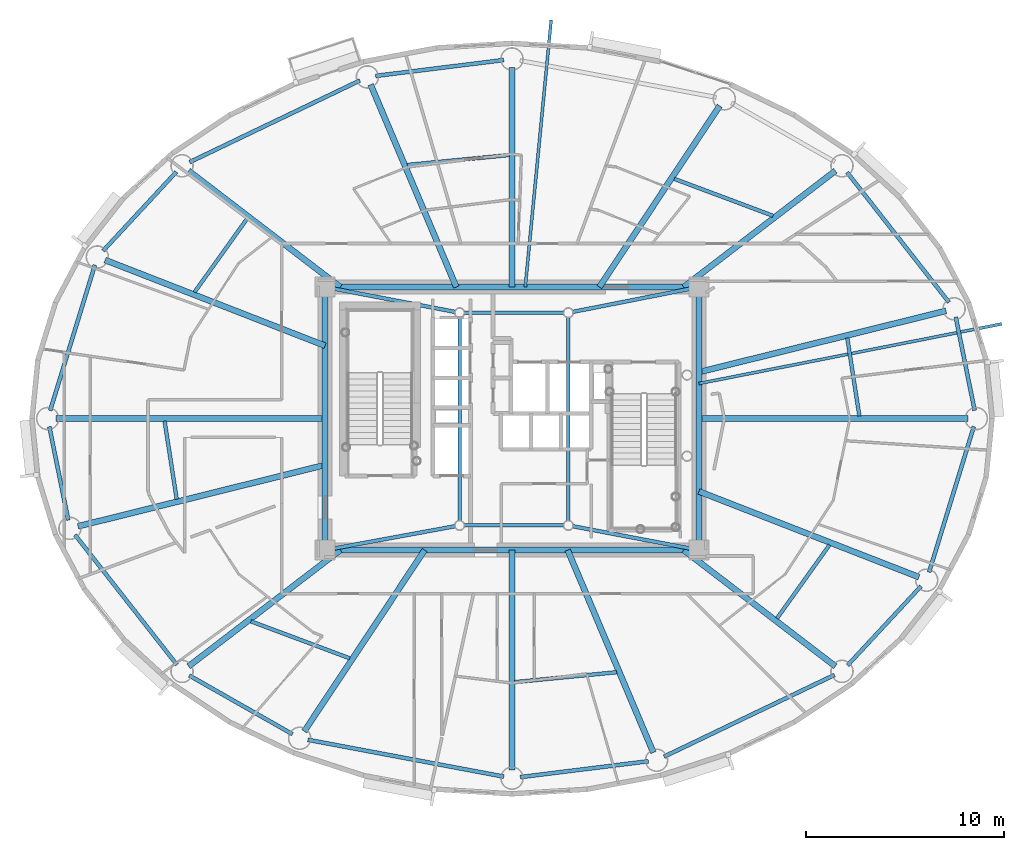
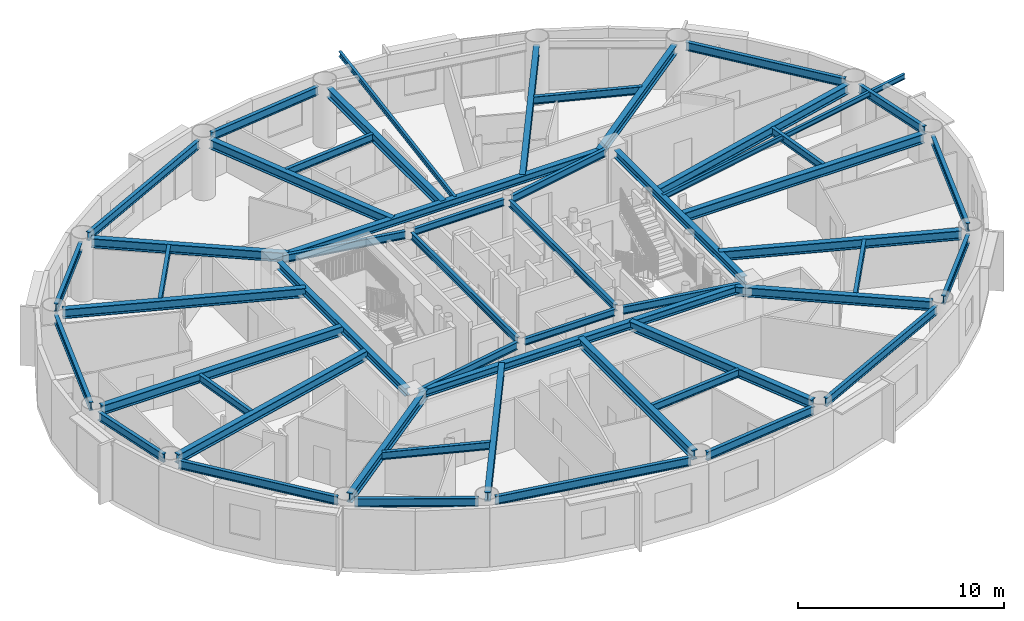
# One storey, part 3 of 19: 52 beams.
"""IFC4 building model written with IfcOpenShell, lengths in metres."""

from ifc_helpers import new_model, si_unit, direction, frame, origin, origin_2d, place, context, subcontext, project, spatial, i_section, extrude, material, material_profile, profile_set, type_object, element, save


model = new_model("IFC4")

# Units and contexts
model_context = context("Model", 3, precision=1e-05, world=origin(), true_north=direction((0.0, 1.0)))
body_context = subcontext(model_context, "Body", "Model", "MODEL_VIEW")
ifc_project = project(units=[si_unit("LENGTHUNIT", "METRE"), si_unit("AREAUNIT", "SQUARE_METRE"), si_unit("VOLUMEUNIT", "CUBIC_METRE"), si_unit("PLANEANGLEUNIT", "RADIAN"), si_unit("MASSUNIT", "GRAM", prefix="KILO")], contexts=[model_context])

# Site, building, storey
site_placement = place(None, origin())
site = spatial("IfcSite", under=ifc_project, at=site_placement, CompositionType="ELEMENT")
building_placement = place(site_placement, origin())
building = spatial("IfcBuilding", under=site, at=building_placement, Name="Linh Dai School and Residence Tower", CompositionType="ELEMENT")
storey_placement = place(building_placement, frame((0.0, 0.0, 217.800048828125)))
storey = spatial("IfcBuildingStorey", under=building, at=storey_placement, Name="L53", CompositionType="ELEMENT", Elevation=217.800048828125)

# Beams
ifc_material = material(Name="Structural Steel S355JR", Category="steel")
ifc_material_profile_1 = material_profile(ifc_material, i_section(OverallWidth=0.14990234375, OverallDepth=0.300048828125, WebThickness=0.007080078125, FlangeThickness=0.0107421875, at=origin_2d()), Name="IPE 300")
ifc_profile_set_1 = profile_set([ifc_material_profile_1], Name="Structural Steel S355JR")
beam_type_1 = type_object("IfcBeamType", Name="BM-BALC-CANT", PredefinedType="BEAM", material=ifc_profile_set_1)
beam_1_placement = place(storey_placement, frame((45.449951171875, 28.770751953125, 3.349853515625), z_axis=(0.981150475186, 0.193245297597, 0.0), x_axis=(-0.193245297597, 0.981150475186, 0.0)))
element("IfcBeam", 1, at=beam_1_placement, inside=storey, type_object=beam_type_1, Name="L54 Balcony Continuous Cantilever Beam 02", PredefinedType="BEAM", context=body_context, shape_type="SweptSolid", body=[
    extrude(i_section(OverallWidth=0.14990234375, OverallDepth=0.300048828125, WebThickness=0.007080078125, FlangeThickness=0.0107421875, at=origin_2d()), origin(), (0.0, 0.0, 1.0), 15.6064453125),
])
beam_2_placement = place(storey_placement, frame((36.670166015625, 33.64990234375, 3.349853515625), z_axis=(0.096583141072, 0.995324920245, 0.0), x_axis=(-0.995324920245, 0.096583141072, 0.0)))
element("IfcBeam", 2, at=beam_2_placement, inside=storey, type_object=beam_type_1, Name="L54 Balcony Continuous Cantilever Beam 10", PredefinedType="BEAM", context=body_context, shape_type="SweptSolid", body=[
    extrude(i_section(OverallWidth=0.14990234375, OverallDepth=0.300048828125, WebThickness=0.007080078125, FlangeThickness=0.0107421875, at=origin_2d()), origin(), (0.0, 0.0, 1.0), 13.55908203125),
])
ifc_material_profile_2 = material_profile(ifc_material, i_section(OverallWidth=0.199951171875, OverallDepth=0.5, WebThickness=0.01025390625, FlangeThickness=0.01611328125, FilletRadius=0.02099609375, at=origin_2d()), Name="IPE 500")
ifc_profile_set_2 = profile_set([ifc_material_profile_2], Name="Structural Steel S355JR")
beam_type_2 = type_object("IfcBeamType", Name="BM-RB50", PredefinedType="BEAM", material=ifc_profile_set_2)
beam_3_placement = place(storey_placement, frame((59.3916015625, 27.41162109375, 3.25), z_axis=(-0.198423200906, 0.980116438666, 0.0), x_axis=(-0.980116438666, -0.198423200906, 0.0)))
element("IfcBeam", 3, at=beam_3_placement, inside=storey, type_object=beam_type_2, Name="L53 Perimeter Elliptical Ring Beam 01", PredefinedType="BEAM", context=body_context, shape_type="SweptSolid", body=[
    extrude(i_section(OverallWidth=0.199951171875, OverallDepth=0.5, WebThickness=0.01025390625, FlangeThickness=0.01611328125, FilletRadius=0.02099609375, at=origin_2d()), origin(), (0.0, 0.0, 1.0), 4.822021484375),
])
beam_4_placement = place(storey_placement, frame((58.09228515625, 32.8798828125, 3.25), z_axis=(-0.616900268003, 0.787041332674, 0.0), x_axis=(-0.787041332674, -0.616900268003, 0.0)))
element("IfcBeam", 4, at=beam_4_placement, inside=storey, type_object=beam_type_2, Name="L53 Perimeter Elliptical Ring Beam 02", PredefinedType="BEAM", context=body_context, shape_type="SweptSolid", body=[
    extrude(i_section(OverallWidth=0.199951171875, OverallDepth=0.5, WebThickness=0.01025390625, FlangeThickness=0.01611328125, FilletRadius=0.02099609375, at=origin_2d()), origin(), (0.0, 0.0, 1.0), 8.348388671875),
])
beam_5_placement = place(storey_placement, frame((35.583251953125, 45.12841796875, 3.25), z_axis=(-0.992401656104, -0.123040452539, 0.0), x_axis=(0.123040452539, -0.992401656104, 0.0)))
element("IfcBeam", 5, at=beam_5_placement, inside=storey, type_object=beam_type_2, Name="L53 Perimeter Elliptical Ring Beam 05", PredefinedType="BEAM", context=body_context, shape_type="SweptSolid", body=[
    extrude(i_section(OverallWidth=0.199951171875, OverallDepth=0.5, WebThickness=0.01025390625, FlangeThickness=0.01611328125, FilletRadius=0.02099609375, at=origin_2d()), origin(), (0.0, 0.0, 1.0), 6.528076171875),
])
beam_6_placement = place(storey_placement, frame((28.309326171875, 44.092041015625, 3.25), z_axis=(-0.901735920201, -0.432287323686, 0.0), x_axis=(0.432287323686, -0.901735920201, 0.0)))
element("IfcBeam", 6, at=beam_6_placement, inside=storey, type_object=beam_type_2, Name="L53 Perimeter Elliptical Ring Beam 06", PredefinedType="BEAM", context=body_context, shape_type="SweptSolid", body=[
    extrude(i_section(OverallWidth=0.199951171875, OverallDepth=0.5, WebThickness=0.01025390625, FlangeThickness=0.01611328125, FilletRadius=0.02099609375, at=origin_2d()), origin(), (0.0, 0.0, 1.0), 9.552490234375),
])
beam_7_placement = place(storey_placement, frame((19.031005859375, 39.47314453125, 3.25), z_axis=(-0.68040816846, -0.732833353699, 0.0), x_axis=(0.732833353699, -0.68040816846, 0.0)))
element("IfcBeam", 7, at=beam_7_placement, inside=storey, type_object=beam_type_2, Name="L53 Perimeter Elliptical Ring Beam 07", PredefinedType="BEAM", context=body_context, shape_type="SweptSolid", body=[
    extrude(i_section(OverallWidth=0.199951171875, OverallDepth=0.5, WebThickness=0.01025390625, FlangeThickness=0.01611328125, FilletRadius=0.02099609375, at=origin_2d()), origin(), (0.0, 0.0, 1.0), 5.453369140625),
])
beam_8_placement = place(storey_placement, frame((14.911376953125, 34.767578125, 3.25), z_axis=(-0.293660595717, -0.95590975229, 0.0), x_axis=(0.95590975229, -0.293660595717, 0.0)))
element("IfcBeam", 8, at=beam_8_placement, inside=storey, type_object=beam_type_2, Name="L53 Perimeter Elliptical Ring Beam 08", PredefinedType="BEAM", context=body_context, shape_type="SweptSolid", body=[
    extrude(i_section(OverallWidth=0.199951171875, OverallDepth=0.5, WebThickness=0.01025390625, FlangeThickness=0.01611328125, FilletRadius=0.02099609375, at=origin_2d()), origin(), (0.0, 0.0, 1.0), 7.7060546875),
])
beam_9_placement = place(storey_placement, frame((12.6083984375, 26.58837890625, 3.25), z_axis=(0.198423200906, -0.980116438666, 0.0), x_axis=(0.980116438666, 0.198423200906, 0.0)))
element("IfcBeam", 9, at=beam_9_placement, inside=storey, type_object=beam_type_2, Name="L53 Perimeter Elliptical Ring Beam 09", PredefinedType="BEAM", context=body_context, shape_type="SweptSolid", body=[
    extrude(i_section(OverallWidth=0.199951171875, OverallDepth=0.5, WebThickness=0.01025390625, FlangeThickness=0.01611328125, FilletRadius=0.02099609375, at=origin_2d()), origin(), (0.0, 0.0, 1.0), 4.822021484375),
])
beam_10_placement = place(storey_placement, frame((13.90771484375, 21.1201171875, 3.25), z_axis=(0.616900268003, -0.787041332674, 0.0), x_axis=(0.787041332674, 0.616900268003, 0.0)))
element("IfcBeam", 10, at=beam_10_placement, inside=storey, type_object=beam_type_2, Name="L53 Perimeter Elliptical Ring Beam 10", PredefinedType="BEAM", context=body_context, shape_type="SweptSolid", body=[
    extrude(i_section(OverallWidth=0.199951171875, OverallDepth=0.5, WebThickness=0.01025390625, FlangeThickness=0.01611328125, FilletRadius=0.02099609375, at=origin_2d()), origin(), (0.0, 0.0, 1.0), 8.348388671875),
])
beam_11_placement = place(storey_placement, frame((19.681884765625, 14.011474609375, 3.25), z_axis=(0.869297314463, -0.494289570058, 0.0), x_axis=(0.494289570058, 0.869297314463, 0.0)))
element("IfcBeam", 11, at=beam_11_placement, inside=storey, type_object=beam_type_2, Name="L53 Perimeter Elliptical Ring Beam 11", PredefinedType="BEAM", context=body_context, shape_type="SweptSolid", body=[
    extrude(i_section(OverallWidth=0.199951171875, OverallDepth=0.5, WebThickness=0.01025390625, FlangeThickness=0.01611328125, FilletRadius=0.02099609375, at=origin_2d()), origin(), (0.0, 0.0, 1.0), 6.003173828125),
])
beam_12_placement = place(storey_placement, frame((25.67822265625, 10.759033203125, 3.25), z_axis=(0.982806607762, -0.184637947722, 0.0), x_axis=(0.184637947722, 0.982806607762, 0.0)))
element("IfcBeam", 12, at=beam_12_placement, inside=storey, type_object=beam_type_2, Name="L53 Perimeter Elliptical Ring Beam 12", PredefinedType="BEAM", context=body_context, shape_type="SweptSolid", body=[
    extrude(i_section(OverallWidth=0.199951171875, OverallDepth=0.5, WebThickness=0.01025390625, FlangeThickness=0.01611328125, FilletRadius=0.02099609375, at=origin_2d()), origin(), (0.0, 0.0, 1.0), 10.082275390625),
])
beam_13_placement = place(storey_placement, frame((36.416748046875, 8.87158203125, 3.25), z_axis=(0.992401656104, 0.123040452539, 0.0), x_axis=(-0.123040452539, 0.992401656104, 0.0)))
element("IfcBeam", 13, at=beam_13_placement, inside=storey, type_object=beam_type_2, Name="L53 Perimeter Elliptical Ring Beam 13", PredefinedType="BEAM", context=body_context, shape_type="SweptSolid", body=[
    extrude(i_section(OverallWidth=0.199951171875, OverallDepth=0.5, WebThickness=0.01025390625, FlangeThickness=0.01611328125, FilletRadius=0.02099609375, at=origin_2d()), origin(), (0.0, 0.0, 1.0), 6.528076171875),
])
beam_14_placement = place(storey_placement, frame((43.690673828125, 9.907958984375, 3.25), z_axis=(0.901735920201, 0.432287323686, 0.0), x_axis=(-0.432287323686, 0.901735920201, 0.0)))
element("IfcBeam", 14, at=beam_14_placement, inside=storey, type_object=beam_type_2, Name="L53 Perimeter Elliptical Ring Beam 14", PredefinedType="BEAM", context=body_context, shape_type="SweptSolid", body=[
    extrude(i_section(OverallWidth=0.199951171875, OverallDepth=0.5, WebThickness=0.01025390625, FlangeThickness=0.01611328125, FilletRadius=0.02099609375, at=origin_2d()), origin(), (0.0, 0.0, 1.0), 9.552490234375),
])
beam_15_placement = place(storey_placement, frame((52.968994140625, 14.52685546875, 3.25), z_axis=(0.68040816846, 0.732833353699, 0.0), x_axis=(-0.732833353699, 0.68040816846, 0.0)))
element("IfcBeam", 15, at=beam_15_placement, inside=storey, type_object=beam_type_2, Name="L53 Perimeter Elliptical Ring Beam 15", PredefinedType="BEAM", context=body_context, shape_type="SweptSolid", body=[
    extrude(i_section(OverallWidth=0.199951171875, OverallDepth=0.5, WebThickness=0.01025390625, FlangeThickness=0.01611328125, FilletRadius=0.02099609375, at=origin_2d()), origin(), (0.0, 0.0, 1.0), 5.453369140625),
])
beam_16_placement = place(storey_placement, frame((57.088623046875, 19.232421875, 3.25), z_axis=(0.293660595717, 0.95590975229, 0.0), x_axis=(-0.95590975229, 0.293660595717, 0.0)))
element("IfcBeam", 16, at=beam_16_placement, inside=storey, type_object=beam_type_2, Name="L53 Perimeter Elliptical Ring Beam 16", PredefinedType="BEAM", context=body_context, shape_type="SweptSolid", body=[
    extrude(i_section(OverallWidth=0.199951171875, OverallDepth=0.5, WebThickness=0.01025390625, FlangeThickness=0.01611328125, FilletRadius=0.02099609375, at=origin_2d()), origin(), (0.0, 0.0, 1.0), 7.7060546875),
])
ifc_material_profile_3 = material_profile(ifc_material, i_section(OverallWidth=0.300048828125, OverallDepth=0.449951171875, WebThickness=0.013916015625, FlangeThickness=0.02587890625, FilletRadius=0.027099609375, at=origin_2d()), Name="HEB 450")
ifc_profile_set_3 = profile_set([ifc_material_profile_3], Name="Structural Steel S355JR")
beam_type_3 = type_object("IfcBeamType", Name="BM-RG45", PredefinedType="BEAM", material=ifc_profile_set_3)
beam_17_placement = place(storey_placement, frame((26.969970703125, 20.35009765625, 3.27490234375), z_axis=(1.0, 0.0, 0.0), x_axis=(0.0, 1.0, 0.0)))
element("IfcBeam", 17, at=beam_17_placement, inside=storey, type_object=beam_type_3, Name="L53 Core Perimeter Coupling Girder 1", PredefinedType="BEAM", context=body_context, shape_type="SweptSolid", body=[
    extrude(i_section(OverallWidth=0.300048828125, OverallDepth=0.449951171875, WebThickness=0.013916015625, FlangeThickness=0.02587890625, FilletRadius=0.027099609375, at=origin_2d()), origin(), (0.0, 0.0, 1.0), 18.06005859375),
])
beam_18_placement = place(storey_placement, frame((45.449951171875, 20.77001953125, 3.27490234375), z_axis=(0.0, 1.0, 0.0), x_axis=(-1.0, 0.0, 0.0)))
element("IfcBeam", 18, at=beam_18_placement, inside=storey, type_object=beam_type_3, Name="L53 Core Perimeter Coupling Girder 2", PredefinedType="BEAM", context=body_context, shape_type="SweptSolid", body=[
    extrude(i_section(OverallWidth=0.300048828125, OverallDepth=0.449951171875, WebThickness=0.013916015625, FlangeThickness=0.02587890625, FilletRadius=0.027099609375, at=origin_2d()), origin(), (0.0, 0.0, 1.0), 12.4599609375),
])
beam_19_placement = place(storey_placement, frame((45.030029296875, 33.64990234375, 3.27490234375), z_axis=(-1.0, 0.0, 0.0), x_axis=(0.0, -1.0, 0.0)))
element("IfcBeam", 19, at=beam_19_placement, inside=storey, type_object=beam_type_3, Name="L53 Core Perimeter Coupling Girder 3", PredefinedType="BEAM", context=body_context, shape_type="SweptSolid", body=[
    extrude(i_section(OverallWidth=0.300048828125, OverallDepth=0.449951171875, WebThickness=0.013916015625, FlangeThickness=0.02587890625, FilletRadius=0.027099609375, at=origin_2d()), origin(), (0.0, 0.0, 1.0), 18.06005859375),
])
beam_20_placement = place(storey_placement, frame((26.550048828125, 33.22998046875, 3.27490234375), z_axis=(0.0, -1.0, 0.0), x_axis=(1.0, 0.0, 0.0)))
element("IfcBeam", 20, at=beam_20_placement, inside=storey, type_object=beam_type_3, Name="L53 Core Perimeter Coupling Girder 4", PredefinedType="BEAM", context=body_context, shape_type="SweptSolid", body=[
    extrude(i_section(OverallWidth=0.300048828125, OverallDepth=0.449951171875, WebThickness=0.013916015625, FlangeThickness=0.02587890625, FilletRadius=0.027099609375, at=origin_2d()), origin(), (0.0, 0.0, 1.0), 12.4599609375),
])
ifc_material_profile_4 = material_profile(ifc_material, i_section(OverallWidth=0.300048828125, OverallDepth=0.550048828125, WebThickness=0.014892578125, FlangeThickness=0.029052734375, FilletRadius=0.027099609375, at=origin_2d()), Name="HEB 550")
ifc_profile_set_4 = profile_set([ifc_material_profile_4], Name="Structural Steel S355JR")
beam_type_4 = type_object("IfcBeamType", Name="BM-RG55", PredefinedType="BEAM", material=ifc_profile_set_4)
beam_21_placement = place(storey_placement, frame((45.449951171875, 27.0, 3.224853515625), z_axis=(1.0, 0.0, 0.0), x_axis=(0.0, 1.0, 0.0)))
element("IfcBeam", 21, at=beam_21_placement, inside=storey, type_object=beam_type_4, Name="L53 Primary Radial Floor Girder 01", PredefinedType="BEAM", context=body_context, shape_type="SweptSolid", body=[
    extrude(i_section(OverallWidth=0.300048828125, OverallDepth=0.550048828125, WebThickness=0.014892578125, FlangeThickness=0.029052734375, FilletRadius=0.027099609375, at=origin_2d()), origin(), (0.0, 0.0, 1.0), 13.60498046875),
])
beam_22_placement = place(storey_placement, frame((45.449951171875, 29.34619140625, 3.224853515625), z_axis=(0.970537241974, 0.240951160904, 0.0), x_axis=(-0.240951160904, 0.970537241974, 0.0)))
element("IfcBeam", 22, at=beam_22_placement, inside=storey, type_object=beam_type_4, Name="L53 Primary Radial Floor Girder 02", PredefinedType="BEAM", context=body_context, shape_type="SweptSolid", body=[
    extrude(i_section(OverallWidth=0.300048828125, OverallDepth=0.550048828125, WebThickness=0.014892578125, FlangeThickness=0.029052734375, FilletRadius=0.027099609375, at=origin_2d()), origin(), (0.0, 0.0, 1.0), 12.873291015625),
])
beam_23_placement = place(storey_placement, frame((44.680419921875, 33.64990234375, 3.224853515625), z_axis=(0.793814553483, 0.608159892363, 0.0), x_axis=(-0.608159892363, 0.793814553483, 0.0)))
element("IfcBeam", 23, at=beam_23_placement, inside=storey, type_object=beam_type_4, Name="L53 Primary Radial Floor Girder 03", PredefinedType="BEAM", context=body_context, shape_type="SweptSolid", body=[
    extrude(i_section(OverallWidth=0.300048828125, OverallDepth=0.550048828125, WebThickness=0.014892578125, FlangeThickness=0.029052734375, FilletRadius=0.027099609375, at=origin_2d()), origin(), (0.0, 0.0, 1.0), 9.661376953125),
])
beam_24_placement = place(storey_placement, frame((40.41650390625, 33.64990234375, 3.224853515625), z_axis=(0.553219177991, 0.833035738191, 0.0), x_axis=(-0.833035738191, 0.553219177991, 0.0)))
element("IfcBeam", 24, at=beam_24_placement, inside=storey, type_object=beam_type_4, Name="L53 Primary Radial Floor Girder 04", PredefinedType="BEAM", context=body_context, shape_type="SweptSolid", body=[
    extrude(i_section(OverallWidth=0.300048828125, OverallDepth=0.550048828125, WebThickness=0.014892578125, FlangeThickness=0.029052734375, FilletRadius=0.027099609375, at=origin_2d()), origin(), (0.0, 0.0, 1.0), 11.00048828125),
])
beam_25_placement = place(storey_placement, frame((36.0, 33.64990234375, 3.224853515625), z_axis=(0.0, 1.0, 0.0), x_axis=(-1.0, 0.0, 0.0)))
element("IfcBeam", 25, at=beam_25_placement, inside=storey, type_object=beam_type_4, Name="L53 Primary Radial Floor Girder 05", PredefinedType="BEAM", context=body_context, shape_type="SweptSolid", body=[
    extrude(i_section(OverallWidth=0.300048828125, OverallDepth=0.550048828125, WebThickness=0.014892578125, FlangeThickness=0.029052734375, FilletRadius=0.027099609375, at=origin_2d()), origin(), (0.0, 0.0, 1.0), 11.110107421875),
])
beam_26_placement = place(storey_placement, frame((33.18505859375, 33.64990234375, 3.224853515625), z_axis=(-0.389814803082, 0.920893272479, 0.0), x_axis=(-0.920893272479, -0.389814803082, 0.0)))
element("IfcBeam", 26, at=beam_26_placement, inside=storey, type_object=beam_type_4, Name="L53 Primary Radial Floor Girder 06", PredefinedType="BEAM", context=body_context, shape_type="SweptSolid", body=[
    extrude(i_section(OverallWidth=0.300048828125, OverallDepth=0.550048828125, WebThickness=0.014892578125, FlangeThickness=0.029052734375, FilletRadius=0.027099609375, at=origin_2d()), origin(), (0.0, 0.0, 1.0), 11.1162109375),
])
beam_27_placement = place(storey_placement, frame((27.319580078125, 33.64990234375, 3.224853515625), z_axis=(-0.793814553483, 0.608159892363, 0.0), x_axis=(-0.608159892363, -0.793814553483, 0.0)))
element("IfcBeam", 27, at=beam_27_placement, inside=storey, type_object=beam_type_4, Name="L53 Primary Radial Floor Girder 07", PredefinedType="BEAM", context=body_context, shape_type="SweptSolid", body=[
    extrude(i_section(OverallWidth=0.300048828125, OverallDepth=0.550048828125, WebThickness=0.014892578125, FlangeThickness=0.029052734375, FilletRadius=0.027099609375, at=origin_2d()), origin(), (0.0, 0.0, 1.0), 9.661376953125),
])
beam_28_placement = place(storey_placement, frame((26.550048828125, 30.68212890625, 3.224853515625), z_axis=(-0.931764994123, 0.363061972295, 0.0), x_axis=(-0.363061972295, -0.931764994123, 0.0)))
element("IfcBeam", 28, at=beam_28_placement, inside=storey, type_object=beam_type_4, Name="L53 Primary Radial Floor Girder 08", PredefinedType="BEAM", context=body_context, shape_type="SweptSolid", body=[
    extrude(i_section(OverallWidth=0.300048828125, OverallDepth=0.550048828125, WebThickness=0.014892578125, FlangeThickness=0.029052734375, FilletRadius=0.027099609375, at=origin_2d()), origin(), (0.0, 0.0, 1.0), 11.938720703125),
])
beam_29_placement = place(storey_placement, frame((26.550048828125, 27.0, 3.224853515625), z_axis=(-1.0, 0.0, 0.0), x_axis=(0.0, -1.0, 0.0)))
element("IfcBeam", 29, at=beam_29_placement, inside=storey, type_object=beam_type_4, Name="L53 Primary Radial Floor Girder 09", PredefinedType="BEAM", context=body_context, shape_type="SweptSolid", body=[
    extrude(i_section(OverallWidth=0.300048828125, OverallDepth=0.550048828125, WebThickness=0.014892578125, FlangeThickness=0.029052734375, FilletRadius=0.027099609375, at=origin_2d()), origin(), (0.0, 0.0, 1.0), 13.60498046875),
])
beam_30_placement = place(storey_placement, frame((26.550048828125, 24.65380859375, 3.224853515625), z_axis=(-0.970537241974, -0.240951160904, 0.0), x_axis=(0.240951160904, -0.970537241974, 0.0)))
element("IfcBeam", 30, at=beam_30_placement, inside=storey, type_object=beam_type_4, Name="L53 Primary Radial Floor Girder 10", PredefinedType="BEAM", context=body_context, shape_type="SweptSolid", body=[
    extrude(i_section(OverallWidth=0.300048828125, OverallDepth=0.550048828125, WebThickness=0.014892578125, FlangeThickness=0.029052734375, FilletRadius=0.027099609375, at=origin_2d()), origin(), (0.0, 0.0, 1.0), 12.873291015625),
])
beam_31_placement = place(storey_placement, frame((27.319580078125, 20.35009765625, 3.224853515625), z_axis=(-0.793814553483, -0.608159892363, 0.0), x_axis=(0.608159892363, -0.793814553483, 0.0)))
element("IfcBeam", 31, at=beam_31_placement, inside=storey, type_object=beam_type_4, Name="L53 Primary Radial Floor Girder 11", PredefinedType="BEAM", context=body_context, shape_type="SweptSolid", body=[
    extrude(i_section(OverallWidth=0.300048828125, OverallDepth=0.550048828125, WebThickness=0.014892578125, FlangeThickness=0.029052734375, FilletRadius=0.027099609375, at=origin_2d()), origin(), (0.0, 0.0, 1.0), 9.661376953125),
])
beam_32_placement = place(storey_placement, frame((31.58349609375, 20.35009765625, 3.224853515625), z_axis=(-0.553219177991, -0.833035738191, 0.0), x_axis=(0.833035738191, -0.553219177991, 0.0)))
element("IfcBeam", 32, at=beam_32_placement, inside=storey, type_object=beam_type_4, Name="L53 Primary Radial Floor Girder 12", PredefinedType="BEAM", context=body_context, shape_type="SweptSolid", body=[
    extrude(i_section(OverallWidth=0.300048828125, OverallDepth=0.550048828125, WebThickness=0.014892578125, FlangeThickness=0.029052734375, FilletRadius=0.027099609375, at=origin_2d()), origin(), (0.0, 0.0, 1.0), 11.00048828125),
])
beam_33_placement = place(storey_placement, frame((36.0, 20.35009765625, 3.224853515625), z_axis=(0.0, -1.0, 0.0), x_axis=(1.0, 0.0, 0.0)))
element("IfcBeam", 33, at=beam_33_placement, inside=storey, type_object=beam_type_4, Name="L53 Primary Radial Floor Girder 13", PredefinedType="BEAM", context=body_context, shape_type="SweptSolid", body=[
    extrude(i_section(OverallWidth=0.300048828125, OverallDepth=0.550048828125, WebThickness=0.014892578125, FlangeThickness=0.029052734375, FilletRadius=0.027099609375, at=origin_2d()), origin(), (0.0, 0.0, 1.0), 11.110107421875),
])
beam_34_placement = place(storey_placement, frame((38.81494140625, 20.35009765625, 3.224853515625), z_axis=(0.389814803082, -0.920893272479, 0.0), x_axis=(0.920893272479, 0.389814803082, 0.0)))
element("IfcBeam", 34, at=beam_34_placement, inside=storey, type_object=beam_type_4, Name="L53 Primary Radial Floor Girder 14", PredefinedType="BEAM", context=body_context, shape_type="SweptSolid", body=[
    extrude(i_section(OverallWidth=0.300048828125, OverallDepth=0.550048828125, WebThickness=0.014892578125, FlangeThickness=0.029052734375, FilletRadius=0.027099609375, at=origin_2d()), origin(), (0.0, 0.0, 1.0), 11.1162109375),
])
beam_35_placement = place(storey_placement, frame((44.680419921875, 20.35009765625, 3.224853515625), z_axis=(0.793814553483, -0.608159892363, 0.0), x_axis=(0.608159892363, 0.793814553483, 0.0)))
element("IfcBeam", 35, at=beam_35_placement, inside=storey, type_object=beam_type_4, Name="L53 Primary Radial Floor Girder 15", PredefinedType="BEAM", context=body_context, shape_type="SweptSolid", body=[
    extrude(i_section(OverallWidth=0.300048828125, OverallDepth=0.550048828125, WebThickness=0.014892578125, FlangeThickness=0.029052734375, FilletRadius=0.027099609375, at=origin_2d()), origin(), (0.0, 0.0, 1.0), 9.661376953125),
])
beam_36_placement = place(storey_placement, frame((45.449951171875, 23.31787109375, 3.224853515625), z_axis=(0.931764994123, -0.363061972295, 0.0), x_axis=(0.363061972295, 0.931764994123, 0.0)))
element("IfcBeam", 36, at=beam_36_placement, inside=storey, type_object=beam_type_4, Name="L53 Primary Radial Floor Girder 16", PredefinedType="BEAM", context=body_context, shape_type="SweptSolid", body=[
    extrude(i_section(OverallWidth=0.300048828125, OverallDepth=0.550048828125, WebThickness=0.014892578125, FlangeThickness=0.029052734375, FilletRadius=0.027099609375, at=origin_2d()), origin(), (0.0, 0.0, 1.0), 11.938720703125),
])
ifc_material_profile_5 = material_profile(ifc_material, i_section(OverallWidth=0.179931640625, OverallDepth=0.39990234375, WebThickness=0.008544921875, FlangeThickness=0.013427734375, FilletRadius=0.02099609375, at=origin_2d()), Name="IPE 400")
ifc_profile_set_5 = profile_set([ifc_material_profile_5], Name="Structural Steel S355JR")
beam_type_5 = type_object("IfcBeamType", Name="BM-SB40", PredefinedType="BEAM", material=ifc_profile_set_5)
beam_37_placement = place(storey_placement, frame((33.573974609375, 21.60009765625, 3.300048828125), z_axis=(1.0, 0.0, 0.0), x_axis=(0.0, 1.0, 0.0)))
element("IfcBeam", 37, at=beam_37_placement, inside=storey, type_object=beam_type_5, Name="L53 Core Mast Pier Tie Beam 1", PredefinedType="BEAM", context=body_context, shape_type="SweptSolid", body=[
    extrude(i_section(OverallWidth=0.179931640625, OverallDepth=0.39990234375, WebThickness=0.008544921875, FlangeThickness=0.013427734375, FilletRadius=0.02099609375, at=origin_2d()), origin(), (0.0, 0.0, 1.0), 5.052001953125),
])
beam_38_placement = place(storey_placement, frame((38.85009765625, 21.823974609375, 3.300048828125), z_axis=(0.0, 1.0, 0.0), x_axis=(-1.0, 0.0, 0.0)))
element("IfcBeam", 38, at=beam_38_placement, inside=storey, type_object=beam_type_5, Name="L53 Core Mast Pier Tie Beam 2", PredefinedType="BEAM", context=body_context, shape_type="SweptSolid", body=[
    extrude(i_section(OverallWidth=0.179931640625, OverallDepth=0.39990234375, WebThickness=0.008544921875, FlangeThickness=0.013427734375, FilletRadius=0.02099609375, at=origin_2d()), origin(), (0.0, 0.0, 1.0), 10.302001953125),
])
beam_39_placement = place(storey_placement, frame((38.6259765625, 32.35009765625, 3.300048828125), z_axis=(-1.0, 0.0, 0.0), x_axis=(0.0, -1.0, 0.0)))
element("IfcBeam", 39, at=beam_39_placement, inside=storey, type_object=beam_type_5, Name="L53 Core Mast Pier Tie Beam 3", PredefinedType="BEAM", context=body_context, shape_type="SweptSolid", body=[
    extrude(i_section(OverallWidth=0.179931640625, OverallDepth=0.39990234375, WebThickness=0.008544921875, FlangeThickness=0.013427734375, FilletRadius=0.02099609375, at=origin_2d()), origin(), (0.0, 0.0, 1.0), 5.052001953125),
])
beam_40_placement = place(storey_placement, frame((33.35009765625, 32.1259765625, 3.300048828125), z_axis=(0.0, -1.0, 0.0), x_axis=(1.0, 0.0, 0.0)))
element("IfcBeam", 40, at=beam_40_placement, inside=storey, type_object=beam_type_5, Name="L53 Core Mast Pier Tie Beam 4", PredefinedType="BEAM", context=body_context, shape_type="SweptSolid", body=[
    extrude(i_section(OverallWidth=0.179931640625, OverallDepth=0.39990234375, WebThickness=0.008544921875, FlangeThickness=0.013427734375, FilletRadius=0.02099609375, at=origin_2d()), origin(), (0.0, 0.0, 1.0), 10.302001953125),
])
ifc_material_profile_6 = material_profile(ifc_material, i_section(OverallWidth=0.18994140625, OverallDepth=0.449951171875, WebThickness=0.009521484375, FlangeThickness=0.0146484375, FilletRadius=0.02099609375, at=origin_2d()), Name="IPE 450")
ifc_profile_set_6 = profile_set([ifc_material_profile_6], Name="Structural Steel S355JR")
beam_type_6 = type_object("IfcBeamType", Name="BM-SB45", PredefinedType="BEAM", material=ifc_profile_set_6)
beam_41_placement = place(storey_placement, frame((26.963134765625, 20.426025390625, 3.27490234375), z_axis=(0.983521034508, 0.180793735182, 0.0), x_axis=(-0.180793735182, 0.983521034508, 0.0)))
element("IfcBeam", 41, at=beam_41_placement, inside=storey, type_object=beam_type_6, Name="L53 Core Corner-to-Mast Pier Beam 1", PredefinedType="BEAM", context=body_context, shape_type="SweptSolid", body=[
    extrude(i_section(OverallWidth=0.18994140625, OverallDepth=0.449951171875, WebThickness=0.009521484375, FlangeThickness=0.0146484375, FilletRadius=0.02099609375, at=origin_2d()), origin(), (0.0, 0.0, 1.0), 6.269775390625),
])
beam_42_placement = place(storey_placement, frame((45.037353515625, 20.42822265625, 3.27490234375), z_axis=(-0.982534706692, 0.186079418921, 0.0), x_axis=(-0.186079418921, -0.982534706692, 0.0)))
element("IfcBeam", 42, at=beam_42_placement, inside=storey, type_object=beam_type_6, Name="L53 Core Corner-to-Mast Pier Beam 2", PredefinedType="BEAM", context=body_context, shape_type="SweptSolid", body=[
    extrude(i_section(OverallWidth=0.18994140625, OverallDepth=0.449951171875, WebThickness=0.009521484375, FlangeThickness=0.0146484375, FilletRadius=0.02099609375, at=origin_2d()), origin(), (0.0, 0.0, 1.0), 6.0732421875),
])
beam_43_placement = place(storey_placement, frame((45.037841796875, 33.56884765625, 3.27490234375), z_axis=(-0.981147696489, -0.193259405138, 0.0), x_axis=(0.193259405138, -0.981147696489, 0.0)))
element("IfcBeam", 43, at=beam_43_placement, inside=storey, type_object=beam_type_6, Name="L53 Core Corner-to-Mast Pier Beam 3", PredefinedType="BEAM", context=body_context, shape_type="SweptSolid", body=[
    extrude(i_section(OverallWidth=0.18994140625, OverallDepth=0.449951171875, WebThickness=0.009521484375, FlangeThickness=0.0146484375, FilletRadius=0.02099609375, at=origin_2d()), origin(), (0.0, 0.0, 1.0), 6.082763671875),
])
beam_44_placement = place(storey_placement, frame((26.962646484375, 33.571044921875, 3.27490234375), z_axis=(0.982214129725, -0.187764222812, 0.0), x_axis=(0.187764222812, 0.982214129725, 0.0)))
element("IfcBeam", 44, at=beam_44_placement, inside=storey, type_object=beam_type_6, Name="L53 Core Corner-to-Mast Pier Beam 4", PredefinedType="BEAM", context=body_context, shape_type="SweptSolid", body=[
    extrude(i_section(OverallWidth=0.18994140625, OverallDepth=0.449951171875, WebThickness=0.009521484375, FlangeThickness=0.0146484375, FilletRadius=0.02099609375, at=origin_2d()), origin(), (0.0, 0.0, 1.0), 6.27880859375),
])
beam_45_placement = place(storey_placement, frame((53.564697265625, 27.12841796875, 3.27490234375), z_axis=(-0.153237508203, 0.988189387759, 0.0), x_axis=(-0.988189387759, -0.153237508203, 0.0)))
element("IfcBeam", 45, at=beam_45_placement, inside=storey, type_object=beam_type_6, Name="L53 Secondary Circumferential Floor Beam 01", PredefinedType="BEAM", context=body_context, shape_type="SweptSolid", body=[
    extrude(i_section(OverallWidth=0.18994140625, OverallDepth=0.449951171875, WebThickness=0.009521484375, FlangeThickness=0.0146484375, FilletRadius=0.02099609375, at=origin_2d()), origin(), (0.0, 0.0, 1.0), 3.994140625),
])
beam_46_placement = place(storey_placement, frame((49.2001953125, 37.25146484375, 3.27490234375), z_axis=(-0.936528326754, 0.350591918315, 0.0), x_axis=(-0.350591918315, -0.936528326754, 0.0)))
element("IfcBeam", 46, at=beam_46_placement, inside=storey, type_object=beam_type_6, Name="L53 Secondary Circumferential Floor Beam 02", PredefinedType="BEAM", context=body_context, shape_type="SweptSolid", body=[
    extrude(i_section(OverallWidth=0.18994140625, OverallDepth=0.449951171875, WebThickness=0.009521484375, FlangeThickness=0.0146484375, FilletRadius=0.02099609375, at=origin_2d()), origin(), (0.0, 0.0, 1.0), 5.336181640625),
])
beam_47_placement = place(storey_placement, frame((35.87060546875, 40.324951171875, 3.27490234375), z_axis=(-0.995332680487, -0.096503135467, 0.0), x_axis=(0.096503135467, -0.995332680487, 0.0)))
element("IfcBeam", 47, at=beam_47_placement, inside=storey, type_object=beam_type_6, Name="L53 Secondary Circumferential Floor Beam 03", PredefinedType="BEAM", context=body_context, shape_type="SweptSolid", body=[
    extrude(i_section(OverallWidth=0.18994140625, OverallDepth=0.449951171875, WebThickness=0.009521484375, FlangeThickness=0.0146484375, FilletRadius=0.02099609375, at=origin_2d()), origin(), (0.0, 0.0, 1.0), 5.188720703125),
])
beam_48_placement = place(storey_placement, frame((22.602294921875, 37.100341796875, 3.27490234375), z_axis=(-0.582017423054, -0.813176314991, 0.0), x_axis=(0.813176314991, -0.582017423054, 0.0)))
element("IfcBeam", 48, at=beam_48_placement, inside=storey, type_object=beam_type_6, Name="L53 Secondary Circumferential Floor Beam 04", PredefinedType="BEAM", context=body_context, shape_type="SweptSolid", body=[
    extrude(i_section(OverallWidth=0.18994140625, OverallDepth=0.449951171875, WebThickness=0.009521484375, FlangeThickness=0.0146484375, FilletRadius=0.02099609375, at=origin_2d()), origin(), (0.0, 0.0, 1.0), 4.5625),
])
beam_49_placement = place(storey_placement, frame((18.435302734375, 26.87158203125, 3.27490234375), z_axis=(0.153237508203, -0.988189387759, 0.0), x_axis=(0.988189387759, 0.153237508203, 0.0)))
element("IfcBeam", 49, at=beam_49_placement, inside=storey, type_object=beam_type_6, Name="L53 Secondary Circumferential Floor Beam 05", PredefinedType="BEAM", context=body_context, shape_type="SweptSolid", body=[
    extrude(i_section(OverallWidth=0.18994140625, OverallDepth=0.449951171875, WebThickness=0.009521484375, FlangeThickness=0.0146484375, FilletRadius=0.02099609375, at=origin_2d()), origin(), (0.0, 0.0, 1.0), 3.994140625),
])
beam_50_placement = place(storey_placement, frame((22.7998046875, 16.74853515625, 3.27490234375), z_axis=(0.936528326754, -0.350591918315, 0.0), x_axis=(0.350591918315, 0.936528326754, 0.0)))
element("IfcBeam", 50, at=beam_50_placement, inside=storey, type_object=beam_type_6, Name="L53 Secondary Circumferential Floor Beam 06", PredefinedType="BEAM", context=body_context, shape_type="SweptSolid", body=[
    extrude(i_section(OverallWidth=0.18994140625, OverallDepth=0.449951171875, WebThickness=0.009521484375, FlangeThickness=0.0146484375, FilletRadius=0.02099609375, at=origin_2d()), origin(), (0.0, 0.0, 1.0), 5.336181640625),
])
beam_51_placement = place(storey_placement, frame((36.12939453125, 13.675048828125, 3.27490234375), z_axis=(0.995332680487, 0.096503135467, 0.0), x_axis=(-0.096503135467, 0.995332680487, 0.0)))
element("IfcBeam", 51, at=beam_51_placement, inside=storey, type_object=beam_type_6, Name="L53 Secondary Circumferential Floor Beam 07", PredefinedType="BEAM", context=body_context, shape_type="SweptSolid", body=[
    extrude(i_section(OverallWidth=0.18994140625, OverallDepth=0.449951171875, WebThickness=0.009521484375, FlangeThickness=0.0146484375, FilletRadius=0.02099609375, at=origin_2d()), origin(), (0.0, 0.0, 1.0), 5.188720703125),
])
beam_52_placement = place(storey_placement, frame((49.397705078125, 16.899658203125, 3.27490234375), z_axis=(0.582017423054, 0.813176314991, 0.0), x_axis=(-0.813176314991, 0.582017423054, 0.0)))
element("IfcBeam", 52, at=beam_52_placement, inside=storey, type_object=beam_type_6, Name="L53 Secondary Circumferential Floor Beam 08", PredefinedType="BEAM", context=body_context, shape_type="SweptSolid", body=[
    extrude(i_section(OverallWidth=0.18994140625, OverallDepth=0.449951171875, WebThickness=0.009521484375, FlangeThickness=0.0146484375, FilletRadius=0.02099609375, at=origin_2d()), origin(), (0.0, 0.0, 1.0), 4.5625),
])

save(model, "model.ifc")
